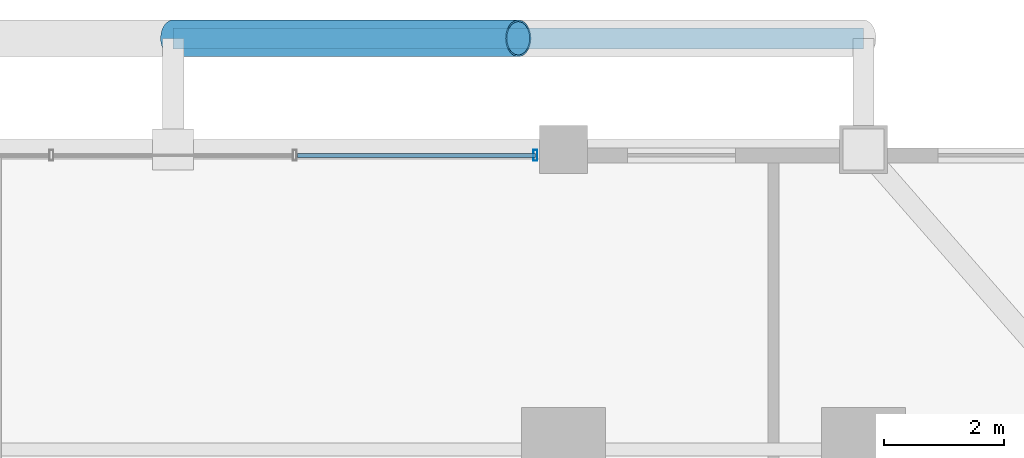
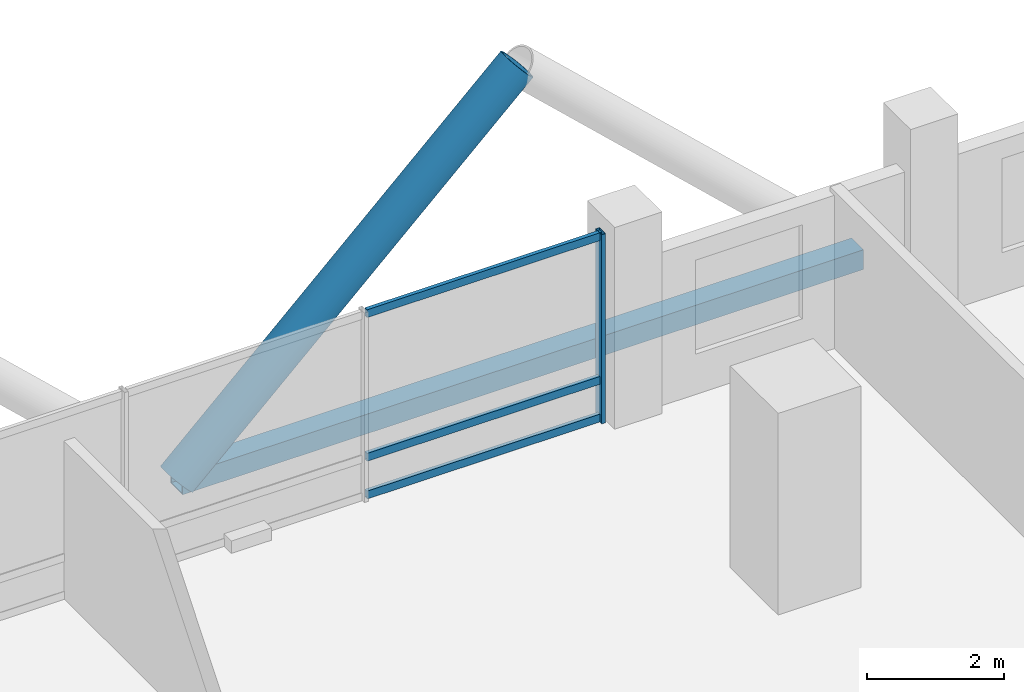
# One storey, part 17 of 27: 6 members, 1 element without a shape of its own.
"""IFC4 building model written with IfcOpenShell, lengths in metres."""

from ifc_helpers import new_model, si_unit, direction, frame, origin, origin_2d, place, context, subcontext, project, spatial, hollow_rectangle, hollow_circle, extrude, material, layer, layer_set, material_profile, profile_set, type_object, element, aggregate, save


model = new_model("IFC4")

# Units and contexts
model_context = context("Model", 3, precision=1e-05, world=origin(), true_north=direction((0.0, 1.0)))
body_context = subcontext(model_context, "Body", "Model", "MODEL_VIEW")
ifc_project = project(units=[si_unit("LENGTHUNIT", "METRE"), si_unit("AREAUNIT", "SQUARE_METRE"), si_unit("VOLUMEUNIT", "CUBIC_METRE"), si_unit("PLANEANGLEUNIT", "RADIAN"), si_unit("MASSUNIT", "GRAM", prefix="KILO")], contexts=[model_context])

# Site, building, storey
site_placement = place(None, origin())
site = spatial("IfcSite", under=ifc_project, at=site_placement, CompositionType="ELEMENT")
building_placement = place(site_placement, origin())
building = spatial("IfcBuilding", under=site, at=building_placement, Name="Barlavira Tower and Art Museum", CompositionType="ELEMENT")
storey_placement = place(building_placement, frame((0.0, 0.0, 50.39990234375)))
storey = spatial("IfcBuildingStorey", under=building, at=storey_placement, Name="L11", CompositionType="ELEMENT", Elevation=50.39990234375)

# Curtain wall, members
ifc_material_1 = material(Name="Low-iron coastal laminated glass", Category="glass")
ifc_layer = layer(ifc_material_1, 0.179931640625, Name="Low-iron coastal laminated glass")
ifc_layer_set = layer_set([ifc_layer], Name="Low-iron coastal laminated glass")
curtain_wall_type = type_object("IfcCurtainWallType", Name="Pale-Metal Unitised Curtain Wall Zone 1", PredefinedType="NOTDEFINED", material=ifc_layer_set)
curtain_wall_placement = place(storey_placement, origin())
curtain_wall = element("IfcCurtainWall", 1, at=curtain_wall_placement, inside=storey, type_object=curtain_wall_type, Name="L11 Curtain Wall CW1-L11-N-B3", PredefinedType="NOTDEFINED")
ifc_material_2 = material(Name="Pale anodised aluminium", Category="aluminium")
ifc_material_profile_1 = material_profile(ifc_material_2, hollow_rectangle(XDim=0.06494140625, YDim=0.179931640625, WallThickness=0.00390625, at=origin_2d()), Name="ALU-MULL 65x180x4")
ifc_profile_set_1 = profile_set([ifc_material_profile_1], Name="Pale anodised aluminium")
member_type_1 = type_object("IfcMemberType", Name="Curtain Wall Pale-Metal Mullion 65x180", PredefinedType="MULLION", material=ifc_profile_set_1)
member_1_placement = place(storey_placement, frame((6.034912109375, 24.89990234375, 0.0), z_axis=(0.0, 0.0, 1.0), x_axis=(-1.0, 0.0, 0.0)))
member_1 = element("IfcMember", 2, at=member_1_placement, type_object=member_type_1, Name="CW1-L11-N-B3 Mullion 0", PredefinedType="MULLION", context=body_context, shape_type="SweptSolid", body=[
    extrude(hollow_rectangle(XDim=0.06494140625, YDim=0.179931640625, WallThickness=0.00390625, at=origin_2d()), origin(), (0.0, 0.0, 1.0), 3.380126953125),
])
ifc_material_profile_2 = material_profile(ifc_material_2, hollow_rectangle(XDim=0.06494140625, YDim=0.139892578125, WallThickness=0.00390625, at=origin_2d()), Name="ALU-TRAN 65x140x4")
ifc_profile_set_2 = profile_set([ifc_material_profile_2], Name="Pale anodised aluminium")
member_type_2 = type_object("IfcMemberType", Name="Curtain Wall Pale-Metal Transom 65x140", PredefinedType="USERDEFINED", material=ifc_profile_set_2)
member_2_placement = place(storey_placement, frame((6.034912109375, 24.89990234375, 0.070068359375), z_axis=(-1.0, 0.0, 0.0), x_axis=(0.0, -1.0, 0.0)))
member_2 = element("IfcMember", 3, at=member_2_placement, type_object=member_type_2, Name="CW1-L11-N-B3 Transom 0.1", ObjectType="TRANSOM", PredefinedType="USERDEFINED", context=body_context, shape_type="SweptSolid", body=[
    extrude(hollow_rectangle(XDim=0.06494140625, YDim=0.139892578125, WallThickness=0.00390625, at=origin_2d()), origin(), (0.0, 0.0, 1.0), 3.963134765625),
])
member_3_placement = place(storey_placement, frame((6.034912109375, 24.89990234375, 0.744140625), z_axis=(-1.0, 0.0, 0.0), x_axis=(0.0, -1.0, 0.0)))
member_3 = element("IfcMember", 4, at=member_3_placement, type_object=member_type_2, Name="CW1-L11-N-B3 Transom 0.2", ObjectType="TRANSOM", PredefinedType="USERDEFINED", context=body_context, shape_type="SweptSolid", body=[
    extrude(hollow_rectangle(XDim=0.06494140625, YDim=0.139892578125, WallThickness=0.00390625, at=origin_2d()), origin(), (0.0, 0.0, 1.0), 3.963134765625),
])
member_4_placement = place(storey_placement, frame((6.034912109375, 24.89990234375, 3.31005859375), z_axis=(-1.0, 0.0, 0.0), x_axis=(0.0, -1.0, 0.0)))
member_4 = element("IfcMember", 5, at=member_4_placement, type_object=member_type_2, Name="CW1-L11-N-B3 Transom 0.3", ObjectType="TRANSOM", PredefinedType="USERDEFINED", context=body_context, shape_type="SweptSolid", body=[
    extrude(hollow_rectangle(XDim=0.06494140625, YDim=0.139892578125, WallThickness=0.00390625, at=origin_2d()), origin(), (0.0, 0.0, 1.0), 3.963134765625),
])
aggregate(curtain_wall, [member_1, member_2, member_3, member_4])

# Members
ifc_material_3 = material(Name="Steel S355", Category="steel")
ifc_material_profile_3 = material_profile(ifc_material_3, hollow_circle(Radius=0.304931640625, WallThickness=0.028076171875, at=origin_2d()), Name="CHS 610.0x28.0")
ifc_profile_set_3 = profile_set([ifc_material_profile_3], Name="Steel S355")
member_type_3 = type_object("IfcMemberType", Name="Pale-Metal Exoskeleton Diagrid Tube CHS 610x28 Steel S355", PredefinedType="BRACE", material=ifc_profile_set_3)
member_5_placement = place(storey_placement, frame((0.0, 26.85009765625, -0.119873046875), z_axis=(0.728950095515, 0.0, 0.684566839869), x_axis=(0.0, 1.0, 0.0)))
element("IfcMember", 6, at=member_5_placement, inside=storey, type_object=member_type_3, Name="L11 Exoskeleton Diagrid Tube N", PredefinedType="BRACE", context=body_context, shape_type="SweptSolid", body=[
    extrude(hollow_circle(Radius=0.304931640625, WallThickness=0.028076171875, at=origin_2d()), origin(), (0.0, 0.0, 1.0), 7.887939453125),
])
ifc_material_profile_4 = material_profile(ifc_material_3, hollow_rectangle(XDim=0.35009765625, YDim=0.35009765625, WallThickness=0.02001953125, at=origin_2d()), Name="SHS 350x350x20.0")
ifc_profile_set_4 = profile_set([ifc_material_profile_4], Name="Steel S355")
member_type_4 = type_object("IfcMemberType", Name="Pale-Metal Exoskeleton Ring Strut SHS 350x350x20 Steel S355", PredefinedType="STRUT", material=ifc_profile_set_4)
member_6_placement = place(storey_placement, frame((0.0, 26.85009765625, -0.119873046875), z_axis=(1.0, 0.0, 0.0), x_axis=(0.0, 1.0, 0.0)))
element("IfcMember", 7, at=member_6_placement, inside=storey, type_object=member_type_4, Name="L11 Exoskeleton Ring Strut N", PredefinedType="STRUT", context=body_context, shape_type="SweptSolid", body=[
    extrude(hollow_rectangle(XDim=0.35009765625, YDim=0.35009765625, WallThickness=0.02001953125, at=origin_2d()), origin(), (0.0, 0.0, 1.0), 11.5),
])

save(model, "model.ifc")
